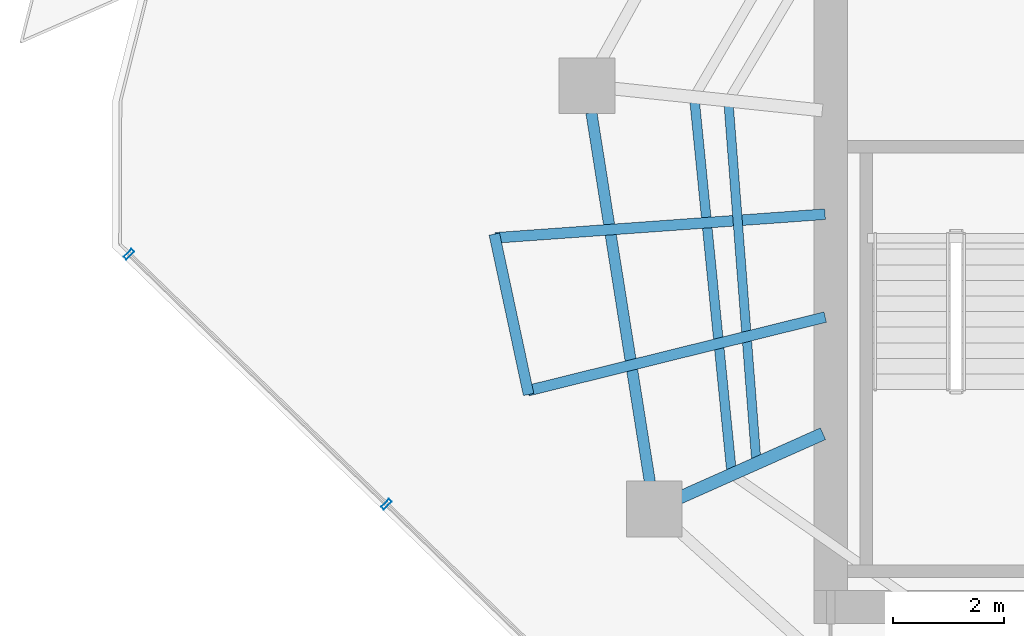
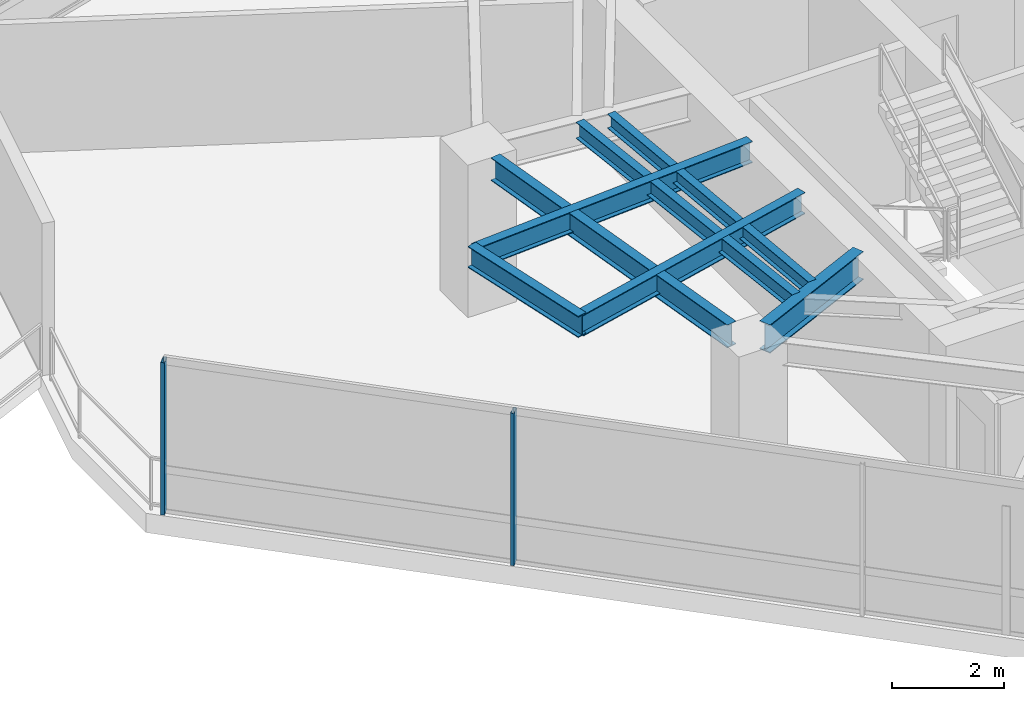
# One storey, part 4 of 19: 7 beams, 2 members, 1 element without a shape of its own.
"""IFC4 building model written with IfcOpenShell, lengths in metres."""

from ifc_helpers import new_model, si_unit, direction, frame, origin, origin_2d, place, context, subcontext, project, spatial, hollow_rectangle, i_section, extrude, material, layer, layer_set, material_profile, profile_set, type_object, element, aggregate, save


model = new_model("IFC4")

# Units and contexts
model_context = context("Model", 3, precision=1e-05, world=origin(), true_north=direction((0.0, 1.0)))
body_context = subcontext(model_context, "Body", "Model", "MODEL_VIEW")
ifc_project = project(units=[si_unit("LENGTHUNIT", "METRE"), si_unit("AREAUNIT", "SQUARE_METRE"), si_unit("VOLUMEUNIT", "CUBIC_METRE"), si_unit("PLANEANGLEUNIT", "RADIAN"), si_unit("MASSUNIT", "GRAM", prefix="KILO")], contexts=[model_context])

# Site, building, storey
site_placement = place(None, origin())
site = spatial("IfcSite", under=ifc_project, at=site_placement, CompositionType="ELEMENT")
building_placement = place(site_placement, origin())
building = spatial("IfcBuilding", under=site, at=building_placement, Name="Qarnah Convention Tower", CompositionType="ELEMENT")
storey_placement = place(building_placement, frame((0.0, 0.0, 125.699951171875)))
storey = spatial("IfcBuildingStorey", under=building, at=storey_placement, Name="L33", CompositionType="ELEMENT", Elevation=125.699951171875)

# Beams
ifc_material_1 = material(Name="Structural steel S355JR", Category="steel")
ifc_material_profile_1 = material_profile(ifc_material_1, i_section(OverallWidth=0.19189453125, OverallDepth=0.464111328125, WebThickness=0.010986328125, FlangeThickness=0.01806640625, at=origin_2d()), Name="W460X89")
ifc_profile_set_1 = profile_set([ifc_material_profile_1], Name="Structural steel S355JR")
beam_type_1 = type_object("IfcBeamType", Name="BM-CANT-W460A", PredefinedType="BEAM", material=ifc_profile_set_1)
beam_1_placement = place(storey_placement, frame((26.699951171875, 25.64794921875, 3.088134765625), z_axis=(-0.997431478283, -0.071627132639, 0.0), x_axis=(0.071627132639, -0.997431478283, 0.0)))
element("IfcBeam", 1, at=beam_1_placement, inside=storey, type_object=beam_type_1, Name="L33 beam BM-L33-CNT-02-1", PredefinedType="BEAM", context=body_context, shape_type="SweptSolid", body=[
    extrude(i_section(OverallWidth=0.19189453125, OverallDepth=0.464111328125, WebThickness=0.010986328125, FlangeThickness=0.01806640625, at=origin_2d()), origin(), (0.0, 0.0, 1.0), 5.93408203125),
])
beam_2_placement = place(storey_placement, frame((26.702880859375, 23.802001953125, 3.088134765625), z_axis=(-0.970704086067, -0.240278124872, 0.0), x_axis=(0.240278124872, -0.970704086067, 0.0)))
element("IfcBeam", 2, at=beam_2_placement, inside=storey, type_object=beam_type_1, Name="L33 beam BM-L33-CNT-02-2", PredefinedType="BEAM", context=body_context, shape_type="SweptSolid", body=[
    extrude(i_section(OverallWidth=0.19189453125, OverallDepth=0.464111328125, WebThickness=0.010986328125, FlangeThickness=0.01806640625, at=origin_2d()), origin(), (0.0, 0.0, 1.0), 5.498046875),
])
beam_3_placement = place(storey_placement, frame((20.76611328125, 25.291015625, 3.088134765625), z_axis=(0.208973836363, -0.977921231857, 0.0), x_axis=(0.977921231857, 0.208973836363, 0.0)))
element("IfcBeam", 3, at=beam_3_placement, inside=storey, type_object=beam_type_1, Name="L33 spandrel BM-L33-CTIE-02", PredefinedType="SPANDREL", context=body_context, shape_type="SweptSolid", body=[
    extrude(i_section(OverallWidth=0.19189453125, OverallDepth=0.464111328125, WebThickness=0.010986328125, FlangeThickness=0.01806640625, at=origin_2d()), origin(), (0.0, 0.0, 1.0), 2.94287109375),
])
ifc_material_profile_2 = material_profile(ifc_material_1, i_section(OverallWidth=0.166015625, OverallDepth=0.31201171875, WebThickness=0.007080078125, FlangeThickness=0.010986328125, at=origin_2d()), Name="W310X45")
ifc_profile_set_2 = profile_set([ifc_material_profile_2], Name="Structural steel S355JR")
beam_type_2 = type_object("IfcBeamType", Name="BM-JST-W310", PredefinedType="JOIST", material=ifc_profile_set_2)
beam_4_placement = place(storey_placement, frame((24.971923828125, 27.595947265625, 3.1640625), z_axis=(0.07735538429, -0.997003583003, 0.0), x_axis=(0.997003583003, 0.07735538429, 0.0)))
element("IfcBeam", 4, at=beam_4_placement, inside=storey, type_object=beam_type_2, Name="L33 joist BM-L33-IJST-05", PredefinedType="JOIST", context=body_context, shape_type="SweptSolid", body=[
    extrude(i_section(OverallWidth=0.166015625, OverallDepth=0.31201171875, WebThickness=0.007080078125, FlangeThickness=0.010986328125, at=origin_2d()), origin(), (0.0, 0.0, 1.0), 6.346923828125),
])
ifc_material_profile_3 = material_profile(ifc_material_1, i_section(OverallWidth=0.172119140625, OverallDepth=0.35595703125, WebThickness=0.007080078125, FlangeThickness=0.011962890625, at=origin_2d()), Name="W360X51")
ifc_profile_set_3 = profile_set([ifc_material_profile_3], Name="Structural steel S355JR")
beam_type_3 = type_object("IfcBeamType", Name="BM-JST-W360", PredefinedType="JOIST", material=ifc_profile_set_3)
beam_5_placement = place(storey_placement, frame((24.362060546875, 27.659912109375, 3.14208984375), z_axis=(0.099058399416, -0.995081621529, 0.0), x_axis=(0.995081621529, 0.099058399416, 0.0)))
element("IfcBeam", 5, at=beam_5_placement, inside=storey, type_object=beam_type_3, Name="L33 joist BM-L33-SJST-05", PredefinedType="JOIST", context=body_context, shape_type="SweptSolid", body=[
    extrude(i_section(OverallWidth=0.172119140625, OverallDepth=0.35595703125, WebThickness=0.007080078125, FlangeThickness=0.011962890625, at=origin_2d()), origin(), (0.0, 0.0, 1.0), 6.622314453125),
])
ifc_material_profile_4 = material_profile(ifc_material_1, i_section(OverallWidth=0.22998046875, OverallDepth=0.617919921875, WebThickness=0.012939453125, FlangeThickness=0.02197265625, at=origin_2d()), Name="W610X140")
ifc_profile_set_4 = profile_set([ifc_material_profile_4], Name="Structural steel S355JR")
beam_type_4 = type_object("IfcBeamType", Name="BM-RAD-W610A", PredefinedType="BEAM", material=ifc_profile_set_4)
beam_6_placement = place(storey_placement, frame((26.6630859375, 21.708984375, 3.010986328125), z_axis=(-0.913488265638, -0.406865074123, 0.0), x_axis=(0.406865074123, -0.913488265638, 0.0)))
element("IfcBeam", 6, at=beam_6_placement, inside=storey, type_object=beam_type_4, Name="L33 beam BM-L33-RAD-06", PredefinedType="BEAM", context=body_context, shape_type="SweptSolid", body=[
    extrude(i_section(OverallWidth=0.22998046875, OverallDepth=0.617919921875, WebThickness=0.012939453125, FlangeThickness=0.02197265625, at=origin_2d()), origin(), (0.0, 0.0, 1.0), 2.83642578125),
])
ifc_material_profile_5 = material_profile(ifc_material_1, i_section(OverallWidth=0.199951171875, OverallDepth=0.5, WebThickness=0.010009765625, FlangeThickness=0.01611328125, at=origin_2d()), Name="IPE500")
ifc_profile_set_5 = profile_set([ifc_material_profile_5], Name="Structural steel S355JR")
beam_type_5 = type_object("IfcBeamType", Name="BM-SPN-IPE500", PredefinedType="SPANDREL", material=ifc_profile_set_5)
beam_7_placement = place(storey_placement, frame((22.508056640625, 27.468017578125, 3.070068359375), z_axis=(0.156388773261, -0.987695576379, 0.0), x_axis=(0.987695576379, 0.156388773261, 0.0)))
element("IfcBeam", 7, at=beam_7_placement, inside=storey, type_object=beam_type_5, Name="L33 spandrel BM-L33-SPN-05", PredefinedType="SPANDREL", context=body_context, shape_type="SweptSolid", body=[
    extrude(i_section(OverallWidth=0.199951171875, OverallDepth=0.5, WebThickness=0.010009765625, FlangeThickness=0.01611328125, at=origin_2d()), origin(), (0.0, 0.0, 1.0), 6.70654296875),
])

# Curtain wall, members
ifc_material_2 = material(Name="Tempered Low-E dark glass", Category="glass")
ifc_layer = layer(ifc_material_2, 0.172119140625)
ifc_layer_set = layer_set([ifc_layer], Name="Tempered Low-E dark glass")
curtain_wall_type = type_object("IfcCurtainWallType", Name="CWS-03", PredefinedType="NOTDEFINED", material=ifc_layer_set)
curtain_wall_placement = place(storey_placement, origin())
curtain_wall = element("IfcCurtainWall", 8, at=curtain_wall_placement, inside=storey, type_object=curtain_wall_type, Name="L33 unitised curtain wall CW-L33-F1", PredefinedType="NOTDEFINED")
ifc_material_3 = material(Name="Black anodised aluminium", Category="aluminium")
ifc_material_profile_6 = material_profile(ifc_material_3, hollow_rectangle(XDim=0.070068359375, YDim=0.199951171875, WallThickness=0.0048828125, at=origin_2d()), Name="MUL-70X200")
ifc_profile_set_6 = profile_set([ifc_material_profile_6], Name="Black anodised aluminium")
member_type = type_object("IfcMemberType", Name="MUL-T3", PredefinedType="MULLION", material=ifc_profile_set_6)
member_1_placement = place(storey_placement, frame((18.8291015625, 20.444091796875, 0.0), z_axis=(0.0, 0.0, 1.0), x_axis=(-0.717389813993, 0.696671985068, 0.0)))
member_1 = element("IfcMember", 9, at=member_1_placement, type_object=member_type, Name="CW-L33-F1 mullion 5", PredefinedType="MULLION", context=body_context, shape_type="SweptSolid", body=[
    extrude(hollow_rectangle(XDim=0.070068359375, YDim=0.199951171875, WallThickness=0.0048828125, at=origin_2d()), origin(), (0.0, 0.0, 1.0), 3.320068359375),
])
member_2_placement = place(storey_placement, frame((14.2099609375, 24.929931640625, 0.0), z_axis=(0.0, 0.0, 1.0), x_axis=(-0.717389813993, 0.696671985068, 0.0)))
member_2 = element("IfcMember", 10, at=member_2_placement, type_object=member_type, Name="CW-L33-F1 mullion 6", PredefinedType="MULLION", context=body_context, shape_type="SweptSolid", body=[
    extrude(hollow_rectangle(XDim=0.070068359375, YDim=0.199951171875, WallThickness=0.0048828125, at=origin_2d()), origin(), (0.0, 0.0, 1.0), 3.320068359375),
])
aggregate(curtain_wall, [member_1, member_2])

save(model, "model.ifc")
